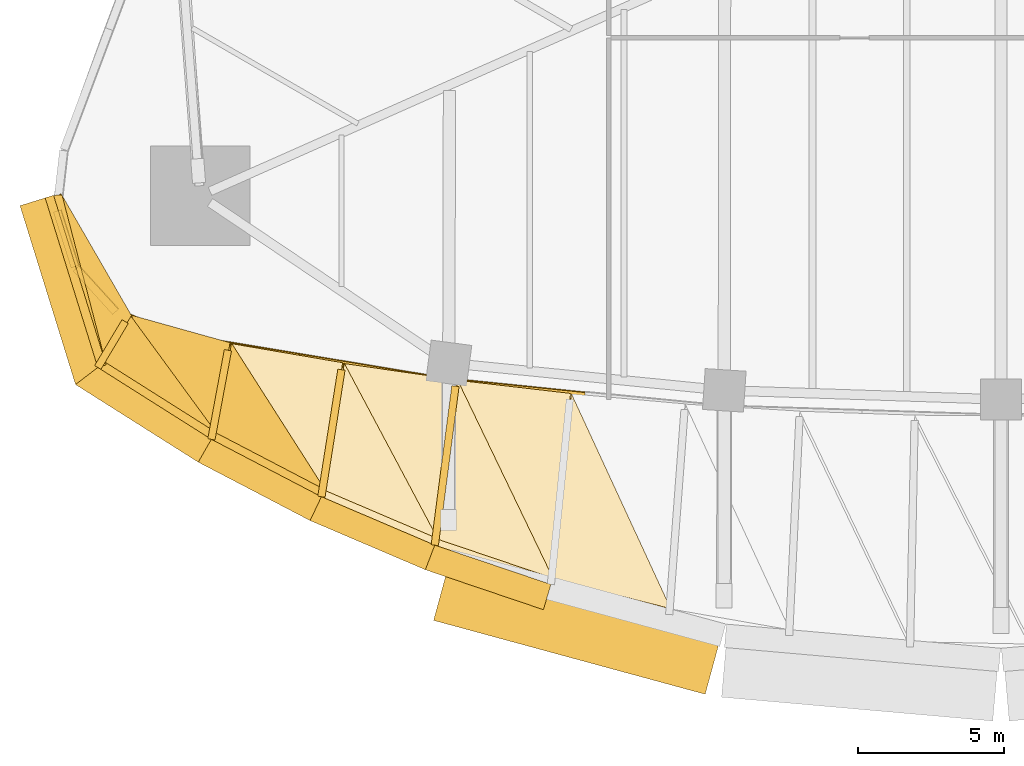
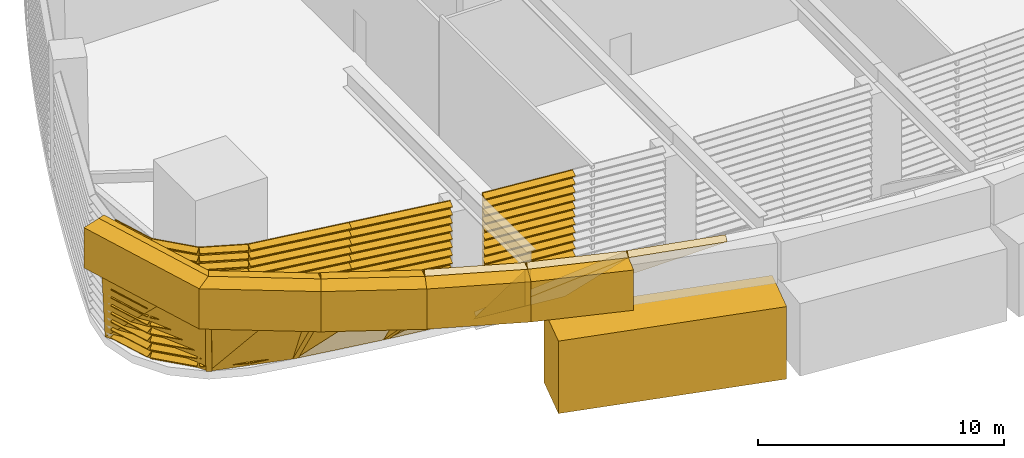
# One storey, part 8 of 15: 21 coverings, 6 shading devices.
"""IFC4 building model written with IfcOpenShell, lengths in metres."""

from ifc_helpers import new_model, si_unit, direction, frame, origin, place, context, subcontext, project, spatial, polyline, outline, extrude, material, layer, layer_set, type_object, element, save


model = new_model("IFC4")

# Units and contexts
model_context = context("Model", 3, precision=1e-05, world=origin(), true_north=direction((0.0, 1.0)))
body_context = subcontext(model_context, "Body", "Model", "MODEL_VIEW")
ifc_project = project(units=[si_unit("LENGTHUNIT", "METRE"), si_unit("AREAUNIT", "SQUARE_METRE"), si_unit("VOLUMEUNIT", "CUBIC_METRE"), si_unit("PLANEANGLEUNIT", "RADIAN"), si_unit("MASSUNIT", "GRAM", prefix="KILO")], contexts=[model_context])

# Site, building, storey
site_placement = place(None, origin())
site = spatial("IfcSite", under=ifc_project, at=site_placement, CompositionType="ELEMENT")
building_placement = place(site_placement, origin())
building = spatial("IfcBuilding", under=site, at=building_placement, Name="Sierra Prisma Convention Tower", CompositionType="ELEMENT")
storey_placement = place(building_placement, frame((0.0, 0.0, 34.199951171875)))
storey = spatial("IfcBuildingStorey", under=building, at=storey_placement, Name="L05", CompositionType="ELEMENT", Elevation=34.199951171875)

# Shading devices
ifc_material_1 = material(Name="Aluminium 6063-T6 bronze anodised", Category="aluminium")
shading_device_type = type_object("IfcShadingDeviceType", Name="Louvre bay bronze", PredefinedType="USERDEFINED", material=ifc_material_1)
shading_device_1_placement = place(storey_placement, frame((-28.285888671875, -20.451416015625, 0.0), z_axis=(-0.986574086601, 0.163314333868, 0.0), x_axis=(0.0, 0.0, 1.0)))
element("IfcShadingDevice", 1, at=shading_device_1_placement, inside=storey, type_object=shading_device_type, Name="Louvre L05 S1.1", ObjectType="LOUVRE", PredefinedType="USERDEFINED", context=body_context, shape_type="SweptSolid", body=[
    extrude(outline(polyline([(0.0, 0.0), (6.0, 0.0), (6.0, -0.02994183377834988), (5.97998046875, -0.02994183377834988), (5.860107421875, -0.2999399350752641), (5.830078125, -0.2999399350752641), (5.949951171875, -0.02994183377834988), (5.60009765625, -0.02994183377834988), (5.580078125, -0.02994183377834988), (5.4599609375, -0.2999399350752641), (5.429931640625, -0.2999399350752641), (5.550048828125, -0.02994183377834988), (5.199951171875, -0.02994183377834988), (5.179931640625, -0.02994183377834988), (5.06005859375, -0.2999399350752641), (5.030029296875, -0.2999399350752641), (5.150146484375, -0.02994183377834988), (4.800048828125, -0.02994183377834988), (4.780029296875, -0.02994183377834988), (4.66015625, -0.2999399350752641), (4.630126953125, -0.2999399350752641), (4.75, -0.02994183377834988), (4.400146484375, -0.02994183377834988), (4.380126953125, -0.02994183377834988), (4.260009765625, -0.2999399350752641), (4.22998046875, -0.2999399350752641), (4.35009765625, -0.02994183377834988), (4.0, -0.02994183377834988), (3.97998046875, -0.02994183377834988), (3.860107421875, -0.2999399350752641), (3.830078125, -0.2999399350752641), (3.949951171875, -0.02994183377834988), (3.60009765625, -0.02994183377834988), (3.580078125, -0.02994183377834988), (3.4599609375, -0.2999399350752641), (3.429931640625, -0.2999399350752641), (3.550048828125, -0.02994183377834988), (3.199951171875, -0.02994183377834988), (3.179931640625, -0.02994183377834988), (3.06005859375, -0.2999399350752641), (3.030029296875, -0.2999399350752641), (3.150146484375, -0.02994183377834988), (2.800048828125, -0.02994183377834988), (2.780029296875, -0.02994183377834988), (2.66015625, -0.2999399350752641), (2.630126953125, -0.2999399350752641), (2.75, -0.02994183377834988), (2.400146484375, -0.02994183377834988), (2.380126953125, -0.02994183377834988), (2.260009765625, -0.2999399350752641), (2.22998046875, -0.2999399350752641), (2.35009765625, -0.02994183377834988), (2.0, -0.02994183377834988), (1.97998046875, -0.02994183377834988), (1.860107421875, -0.2999399350752641), (1.830078125, -0.2999399350752641), (1.949951171875, -0.02994183377834988), (1.60009765625, -0.02994183377834988), (1.580078125, -0.02994183377834988), (1.4599609375, -0.2999399350752641), (1.429931640625, -0.2999399350752641), (1.550048828125, -0.02994183377834988), (1.199951171875, -0.02994183377834988), (1.179931640625, -0.02994183377834988), (1.06005859375, -0.2999399350752641), (1.030029296875, -0.2999399350752641), (1.150146484375, -0.02994183377834988), (0.800048828125, -0.02994183377834988), (0.780029296875, -0.02994183377834988), (0.66015625, -0.2999399350752641), (0.630126953125, -0.2999399350752641), (0.75, -0.02994183377834988), (0.400146484375, -0.02994183377834988), (0.380126953125, -0.02994183377834988), (0.260009765625, -0.2999399350752641), (0.22998046875, -0.2999399350752641), (0.35009765625, -0.02994183377834988), (0.0, -0.02994183377834988), (0.0, 0.0)])), origin(), (0.0, 0.0, -1.0), 4.394287109375),
])
shading_device_2_placement = place(storey_placement, frame((-23.950927734375, -21.17041015625, 0.0), z_axis=(-0.986574086601, 0.163314333868, 0.0), x_axis=(0.0, 0.0, 1.0)))
element("IfcShadingDevice", 2, at=shading_device_2_placement, inside=storey, type_object=shading_device_type, Name="Louvre L05 S1.2", ObjectType="LOUVRE", PredefinedType="USERDEFINED", context=body_context, shape_type="SweptSolid", body=[
    extrude(outline(polyline([(0.0, 0.0), (6.0, 0.0), (6.0, -0.02994183377834988), (5.97998046875, -0.02994183377834988), (5.860107421875, -0.2999399350752641), (5.830078125, -0.2999399350752641), (5.949951171875, -0.02994183377834988), (5.60009765625, -0.02994183377834988), (5.580078125, -0.02994183377834988), (5.4599609375, -0.2999399350752641), (5.429931640625, -0.2999399350752641), (5.550048828125, -0.02994183377834988), (5.199951171875, -0.02994183377834988), (5.179931640625, -0.02994183377834988), (5.06005859375, -0.2999399350752641), (5.030029296875, -0.2999399350752641), (5.150146484375, -0.02994183377834988), (4.800048828125, -0.02994183377834988), (4.780029296875, -0.02994183377834988), (4.66015625, -0.2999399350752641), (4.630126953125, -0.2999399350752641), (4.75, -0.02994183377834988), (4.400146484375, -0.02994183377834988), (4.380126953125, -0.02994183377834988), (4.260009765625, -0.2999399350752641), (4.22998046875, -0.2999399350752641), (4.35009765625, -0.02994183377834988), (4.0, -0.02994183377834988), (3.97998046875, -0.02994183377834988), (3.860107421875, -0.2999399350752641), (3.830078125, -0.2999399350752641), (3.949951171875, -0.02994183377834988), (3.60009765625, -0.02994183377834988), (3.580078125, -0.02994183377834988), (3.4599609375, -0.2999399350752641), (3.429931640625, -0.2999399350752641), (3.550048828125, -0.02994183377834988), (3.199951171875, -0.02994183377834988), (3.179931640625, -0.02994183377834988), (3.06005859375, -0.2999399350752641), (3.030029296875, -0.2999399350752641), (3.150146484375, -0.02994183377834988), (2.800048828125, -0.02994183377834988), (2.780029296875, -0.02994183377834988), (2.66015625, -0.2999399350752641), (2.630126953125, -0.2999399350752641), (2.75, -0.02994183377834988), (2.400146484375, -0.02994183377834988), (2.380126953125, -0.02994183377834988), (2.260009765625, -0.2999399350752641), (2.22998046875, -0.2999399350752641), (2.35009765625, -0.02994183377834988), (2.0, -0.02994183377834988), (1.97998046875, -0.02994183377834988), (1.860107421875, -0.2999399350752641), (1.830078125, -0.2999399350752641), (1.949951171875, -0.02994183377834988), (1.60009765625, -0.02994183377834988), (1.580078125, -0.02994183377834988), (1.4599609375, -0.2999399350752641), (1.429931640625, -0.2999399350752641), (1.550048828125, -0.02994183377834988), (1.199951171875, -0.02994183377834988), (1.179931640625, -0.02994183377834988), (1.06005859375, -0.2999399350752641), (1.030029296875, -0.2999399350752641), (1.150146484375, -0.02994183377834988), (0.800048828125, -0.02994183377834988), (0.780029296875, -0.02994183377834988), (0.66015625, -0.2999399350752641), (0.630126953125, -0.2999399350752641), (0.75, -0.02994183377834988), (0.400146484375, -0.02994183377834988), (0.380126953125, -0.02994183377834988), (0.260009765625, -0.2999399350752641), (0.22998046875, -0.2999399350752641), (0.35009765625, -0.02994183377834988), (0.0, -0.02994183377834988), (0.0, 0.0)])), origin(), (0.0, 0.0, -1.0), 4.394287109375),
])
shading_device_3_placement = place(storey_placement, frame((-18.228759765625, -22.07275390625, 0.0), z_axis=(-0.99477012407, 0.10213912207, 0.0), x_axis=(0.0, 0.0, 1.0)))
element("IfcShadingDevice", 3, at=shading_device_3_placement, inside=storey, type_object=shading_device_type, Name="Louvre L05 S2.1", ObjectType="LOUVRE", PredefinedType="USERDEFINED", context=body_context, shape_type="SweptSolid", body=[
    extrude(outline(polyline([(0.0, 0.0), (6.0, 0.0), (6.0, -0.030196419396375143), (5.97998046875, -0.030196419396375143), (5.860107421875, -0.30003972058310624), (5.830078125, -0.30003972058310624), (5.949951171875, -0.030196419396375143), (5.60009765625, -0.030196419396375143), (5.580078125, -0.030196419396375143), (5.4599609375, -0.30003972058310624), (5.429931640625, -0.30003972058310624), (5.550048828125, -0.030196419396375143), (5.199951171875, -0.030196419396375143), (5.179931640625, -0.030196419396375143), (5.06005859375, -0.30003972058310624), (5.030029296875, -0.30003972058310624), (5.150146484375, -0.030196419396375143), (4.800048828125, -0.030196419396375143), (4.780029296875, -0.030196419396375143), (4.66015625, -0.30003972058310624), (4.630126953125, -0.30003972058310624), (4.75, -0.030196419396375143), (4.400146484375, -0.030196419396375143), (4.380126953125, -0.030196419396375143), (4.260009765625, -0.30003972058310624), (4.22998046875, -0.30003972058310624), (4.35009765625, -0.030196419396375143), (4.0, -0.030196419396375143), (3.97998046875, -0.030196419396375143), (3.860107421875, -0.30003972058310624), (3.830078125, -0.30003972058310624), (3.949951171875, -0.030196419396375143), (3.60009765625, -0.030196419396375143), (3.580078125, -0.030196419396375143), (3.4599609375, -0.30003972058310624), (3.429931640625, -0.30003972058310624), (3.550048828125, -0.030196419396375143), (3.199951171875, -0.030196419396375143), (3.179931640625, -0.030196419396375143), (3.06005859375, -0.30003972058310624), (3.030029296875, -0.30003972058310624), (3.150146484375, -0.030196419396375143), (2.800048828125, -0.030196419396375143), (2.780029296875, -0.030196419396375143), (2.66015625, -0.30003972058310624), (2.630126953125, -0.30003972058310624), (2.75, -0.030196419396375143), (2.400146484375, -0.030196419396375143), (2.380126953125, -0.030196419396375143), (2.260009765625, -0.30003972058310624), (2.22998046875, -0.30003972058310624), (2.35009765625, -0.030196419396375143), (2.0, -0.030196419396375143), (1.97998046875, -0.030196419396375143), (1.860107421875, -0.30003972058310624), (1.830078125, -0.30003972058310624), (1.949951171875, -0.030196419396375143), (1.60009765625, -0.030196419396375143), (1.580078125, -0.030196419396375143), (1.4599609375, -0.30003972058310624), (1.429931640625, -0.30003972058310624), (1.550048828125, -0.030196419396375143), (1.199951171875, -0.030196419396375143), (1.179931640625, -0.030196419396375143), (1.06005859375, -0.30003972058310624), (1.030029296875, -0.30003972058310624), (1.150146484375, -0.030196419396375143), (0.800048828125, -0.030196419396375143), (0.780029296875, -0.030196419396375143), (0.66015625, -0.30003972058310624), (0.630126953125, -0.30003972058310624), (0.75, -0.030196419396375143), (0.400146484375, -0.030196419396375143), (0.380126953125, -0.030196419396375143), (0.260009765625, -0.30003972058310624), (0.22998046875, -0.30003972058310624), (0.35009765625, -0.030196419396375143), (0.0, -0.030196419396375143), (0.0, 0.0)])), origin(), (0.0, 0.0, -1.0), 4.044189453125),
])
shading_device_4_placement = place(storey_placement, frame((-32.08203125, -16.26123046875, 0.0), z_axis=(-0.303509875432, 0.952828292776, 0.0), x_axis=(0.0, 0.0, 1.0)))
element("IfcShadingDevice", 4, at=shading_device_4_placement, inside=storey, type_object=shading_device_type, Name="Louvre L05 SW2.1", ObjectType="LOUVRE", PredefinedType="USERDEFINED", context=body_context, shape_type="SweptSolid", body=[
    extrude(outline(polyline([(0.0, 0.0), (6.0, 0.0), (6.0, -0.02995868546040688), (5.97998046875, -0.02995868546040688), (5.860107421875, -0.3000314491481591), (5.830078125, -0.3000314491481591), (5.949951171875, -0.02995868546040688), (5.60009765625, -0.02995868546040688), (5.580078125, -0.02995868546040688), (5.4599609375, -0.3000314491481591), (5.429931640625, -0.3000314491481591), (5.550048828125, -0.02995868546040688), (5.199951171875, -0.02995868546040688), (5.179931640625, -0.02995868546040688), (5.06005859375, -0.3000314491481591), (5.030029296875, -0.3000314491481591), (5.150146484375, -0.02995868546040688), (4.800048828125, -0.02995868546040688), (4.780029296875, -0.02995868546040688), (4.66015625, -0.3000314491481591), (4.630126953125, -0.3000314491481591), (4.75, -0.02995868546040688), (4.400146484375, -0.02995868546040688), (4.380126953125, -0.02995868546040688), (4.260009765625, -0.3000314491481591), (4.22998046875, -0.3000314491481591), (4.35009765625, -0.02995868546040688), (4.0, -0.02995868546040688), (3.97998046875, -0.02995868546040688), (3.860107421875, -0.3000314491481591), (3.830078125, -0.3000314491481591), (3.949951171875, -0.02995868546040688), (3.60009765625, -0.02995868546040688), (3.580078125, -0.02995868546040688), (3.4599609375, -0.3000314491481591), (3.429931640625, -0.3000314491481591), (3.550048828125, -0.02995868546040688), (3.199951171875, -0.02995868546040688), (3.179931640625, -0.02995868546040688), (3.06005859375, -0.3000314491481591), (3.030029296875, -0.3000314491481591), (3.150146484375, -0.02995868546040688), (2.800048828125, -0.02995868546040688), (2.780029296875, -0.02995868546040688), (2.66015625, -0.3000314491481591), (2.630126953125, -0.3000314491481591), (2.75, -0.02995868546040688), (2.400146484375, -0.02995868546040688), (2.380126953125, -0.02995868546040688), (2.260009765625, -0.3000314491481591), (2.22998046875, -0.3000314491481591), (2.35009765625, -0.02995868546040688), (2.0, -0.02995868546040688), (1.97998046875, -0.02995868546040688), (1.860107421875, -0.3000314491481591), (1.830078125, -0.3000314491481591), (1.949951171875, -0.02995868546040688), (1.60009765625, -0.02995868546040688), (1.580078125, -0.02995868546040688), (1.4599609375, -0.3000314491481591), (1.429931640625, -0.3000314491481591), (1.550048828125, -0.02995868546040688), (1.199951171875, -0.02995868546040688), (1.179931640625, -0.02995868546040688), (1.06005859375, -0.3000314491481591), (1.030029296875, -0.3000314491481591), (1.150146484375, -0.02995868546040688), (0.800048828125, -0.02995868546040688), (0.780029296875, -0.02995868546040688), (0.66015625, -0.3000314491481591), (0.630126953125, -0.3000314491481591), (0.75, -0.02995868546040688), (0.400146484375, -0.02995868546040688), (0.380126953125, -0.02995868546040688), (0.260009765625, -0.3000314491481591), (0.22998046875, -0.3000314491481591), (0.35009765625, -0.02995868546040688), (0.0, -0.02995868546040688), (0.0, 0.0)])), origin(), (0.0, 0.0, -1.0), 2.00341796875),
])
shading_device_5_placement = place(storey_placement, frame((-31.46875, -18.16845703125, 0.0), z_axis=(-0.672708903029, 0.739907245393, 0.0), x_axis=(0.0, 0.0, 1.0)))
element("IfcShadingDevice", 5, at=shading_device_5_placement, inside=storey, type_object=shading_device_type, Name="Louvre L05 SW3.1", ObjectType="LOUVRE", PredefinedType="USERDEFINED", context=body_context, shape_type="SweptSolid", body=[
    extrude(outline(polyline([(0.0, 0.0), (6.0, 0.0), (6.0, -0.03006992145561485), (5.97998046875, -0.03006992145561485), (5.860107421875, -0.3000586781133381), (5.830078125, -0.3000586781133381), (5.949951171875, -0.03006992145561485), (5.60009765625, -0.03006992145561485), (5.580078125, -0.03006992145561485), (5.4599609375, -0.3000586781133381), (5.429931640625, -0.3000586781133381), (5.550048828125, -0.03006992145561485), (5.199951171875, -0.03006992145561485), (5.179931640625, -0.03006992145561485), (5.06005859375, -0.3000586781133381), (5.030029296875, -0.3000586781133381), (5.150146484375, -0.03006992145561485), (4.800048828125, -0.03006992145561485), (4.780029296875, -0.03006992145561485), (4.66015625, -0.3000586781133381), (4.630126953125, -0.3000586781133381), (4.75, -0.03006992145561485), (4.400146484375, -0.03006992145561485), (4.380126953125, -0.03006992145561485), (4.260009765625, -0.3000586781133381), (4.22998046875, -0.3000586781133381), (4.35009765625, -0.03006992145561485), (4.0, -0.03006992145561485), (3.97998046875, -0.03006992145561485), (3.860107421875, -0.3000586781133381), (3.830078125, -0.3000586781133381), (3.949951171875, -0.03006992145561485), (3.60009765625, -0.03006992145561485), (3.580078125, -0.03006992145561485), (3.4599609375, -0.3000586781133381), (3.429931640625, -0.3000586781133381), (3.550048828125, -0.03006992145561485), (3.199951171875, -0.03006992145561485), (3.179931640625, -0.03006992145561485), (3.06005859375, -0.3000586781133381), (3.030029296875, -0.3000586781133381), (3.150146484375, -0.03006992145561485), (2.800048828125, -0.03006992145561485), (2.780029296875, -0.03006992145561485), (2.66015625, -0.3000586781133381), (2.630126953125, -0.3000586781133381), (2.75, -0.03006992145561485), (2.400146484375, -0.03006992145561485), (2.380126953125, -0.03006992145561485), (2.260009765625, -0.3000586781133381), (2.22998046875, -0.3000586781133381), (2.35009765625, -0.03006992145561485), (2.0, -0.03006992145561485), (1.97998046875, -0.03006992145561485), (1.860107421875, -0.3000586781133381), (1.830078125, -0.3000586781133381), (1.949951171875, -0.03006992145561485), (1.60009765625, -0.03006992145561485), (1.580078125, -0.03006992145561485), (1.4599609375, -0.3000586781133381), (1.429931640625, -0.3000586781133381), (1.550048828125, -0.03006992145561485), (1.199951171875, -0.03006992145561485), (1.179931640625, -0.03006992145561485), (1.06005859375, -0.3000586781133381), (1.030029296875, -0.3000586781133381), (1.150146484375, -0.03006992145561485), (0.800048828125, -0.03006992145561485), (0.780029296875, -0.03006992145561485), (0.66015625, -0.3000586781133381), (0.630126953125, -0.3000586781133381), (0.75, -0.03006992145561485), (0.400146484375, -0.03006992145561485), (0.380126953125, -0.03006992145561485), (0.260009765625, -0.3000586781133381), (0.22998046875, -0.3000586781133381), (0.35009765625, -0.03006992145561485), (0.0, -0.03006992145561485), (0.0, 0.0)])), origin(), (0.0, 0.0, -1.0), 2.00341796875),
])
shading_device_6_placement = place(storey_placement, frame((-30.12353515625, -19.6533203125, 0.0), z_axis=(-0.917283969217, 0.398233750223, 0.0), x_axis=(0.0, 0.0, 1.0)))
element("IfcShadingDevice", 6, at=shading_device_6_placement, inside=storey, type_object=shading_device_type, Name="Louvre L05 SW4.1", ObjectType="LOUVRE", PredefinedType="USERDEFINED", context=body_context, shape_type="SweptSolid", body=[
    extrude(outline(polyline([(0.0, 0.0), (6.0, 0.0), (6.0, -0.03006995661193828), (5.97998046875, -0.03006995661193828), (5.860107421875, -0.30002772727474114), (5.830078125, -0.30002772727474114), (5.949951171875, -0.03006995661193828), (5.60009765625, -0.03006995661193828), (5.580078125, -0.03006995661193828), (5.4599609375, -0.30002772727474114), (5.429931640625, -0.30002772727474114), (5.550048828125, -0.03006995661193828), (5.199951171875, -0.03006995661193828), (5.179931640625, -0.03006995661193828), (5.06005859375, -0.30002772727474114), (5.030029296875, -0.30002772727474114), (5.150146484375, -0.03006995661193828), (4.800048828125, -0.03006995661193828), (4.780029296875, -0.03006995661193828), (4.66015625, -0.30002772727474114), (4.630126953125, -0.30002772727474114), (4.75, -0.03006995661193828), (4.400146484375, -0.03006995661193828), (4.380126953125, -0.03006995661193828), (4.260009765625, -0.30002772727474114), (4.22998046875, -0.30002772727474114), (4.35009765625, -0.03006995661193828), (4.0, -0.03006995661193828), (3.97998046875, -0.03006995661193828), (3.860107421875, -0.30002772727474114), (3.830078125, -0.30002772727474114), (3.949951171875, -0.03006995661193828), (3.60009765625, -0.03006995661193828), (3.580078125, -0.03006995661193828), (3.4599609375, -0.30002772727474114), (3.429931640625, -0.30002772727474114), (3.550048828125, -0.03006995661193828), (3.199951171875, -0.03006995661193828), (3.179931640625, -0.03006995661193828), (3.06005859375, -0.30002772727474114), (3.030029296875, -0.30002772727474114), (3.150146484375, -0.03006995661193828), (2.800048828125, -0.03006995661193828), (2.780029296875, -0.03006995661193828), (2.66015625, -0.30002772727474114), (2.630126953125, -0.30002772727474114), (2.75, -0.03006995661193828), (2.400146484375, -0.03006995661193828), (2.380126953125, -0.03006995661193828), (2.260009765625, -0.30002772727474114), (2.22998046875, -0.30002772727474114), (2.35009765625, -0.03006995661193828), (2.0, -0.03006995661193828), (1.97998046875, -0.03006995661193828), (1.860107421875, -0.30002772727474114), (1.830078125, -0.30002772727474114), (1.949951171875, -0.03006995661193828), (1.60009765625, -0.03006995661193828), (1.580078125, -0.03006995661193828), (1.4599609375, -0.30002772727474114), (1.429931640625, -0.30002772727474114), (1.550048828125, -0.03006995661193828), (1.199951171875, -0.03006995661193828), (1.179931640625, -0.03006995661193828), (1.06005859375, -0.30002772727474114), (1.030029296875, -0.30002772727474114), (1.150146484375, -0.03006995661193828), (0.800048828125, -0.03006995661193828), (0.780029296875, -0.03006995661193828), (0.66015625, -0.30002772727474114), (0.630126953125, -0.30002772727474114), (0.75, -0.03006995661193828), (0.400146484375, -0.03006995661193828), (0.380126953125, -0.03006995661193828), (0.260009765625, -0.30002772727474114), (0.22998046875, -0.30002772727474114), (0.35009765625, -0.03006995661193828), (0.0, -0.03006995661193828), (0.0, 0.0)])), origin(), (0.0, 0.0, -1.0), 2.00341796875),
])

# Coverings
ifc_material_2 = material(Name="Aluminium composite bronze anodised", Category="aluminium")
ifc_layer_1 = layer(ifc_material_2, 0.25)
ifc_layer_set_1 = layer_set([ifc_layer_1], Name="Overhang bracket")
covering_type_1 = type_object("IfcCoveringType", Name="Overhang bracket", PredefinedType="CLADDING", material=ifc_layer_set_1)
covering_1_placement = place(storey_placement, frame((-30.021240234375, -20.025146484375, 0.0), z_axis=(-0.859105297187, 0.511798874896, 0.0), x_axis=(-0.148977795394, -0.250074041707, 0.956696707501)))
element("IfcCovering", 7, at=covering_1_placement, inside=storey, type_object=covering_type_1, Name="Overhang bracket 2", PredefinedType="CLADDING", context=body_context, shape_type="SweptSolid", body=[
    extrude(outline(polyline([(0.0, 0.0), (6.271580066028097, 0.0), (4.549479278819297, -0.5239700967889471), (0.0, 0.0)])), origin(), (0.0, 0.0, -1.0), 0.25),
])
covering_2_placement = place(storey_placement, frame((-26.526611328125, -21.0458984375, 0.0), z_axis=(-0.983196625639, 0.182549706469, 0.0), x_axis=(-0.083681403963, -0.450700664471, 0.888744245369)))
element("IfcCovering", 8, at=covering_2_placement, inside=storey, type_object=covering_type_1, Name="Overhang bracket 3", PredefinedType="CLADDING", context=body_context, shape_type="SweptSolid", body=[
    extrude(outline(polyline([(0.0, 0.0), (6.751098565492284, 4.440892098500626e-16), (5.151315528113026, -0.8251484817581498), (0.0, 0.0)])), origin(), (0.0, 0.0, -1.0), 0.25),
])
covering_3_placement = place(storey_placement, frame((-22.650146484375, -21.715087890625, 0.0), z_axis=(-0.987785491658, 0.155819839784, 0.0), x_axis=(-0.092034112139, -0.583429945983, 0.806931979992)))
element("IfcCovering", 9, at=covering_3_placement, inside=storey, type_object=covering_type_1, Name="Overhang bracket 4", PredefinedType="CLADDING", context=body_context, shape_type="SweptSolid", body=[
    extrude(outline(polyline([(0.0, 0.0), (7.435570963566776, 0.0), (5.983053998606065, -1.0631887180249384), (0.0, 0.0)])), origin(), (0.0, 0.0, -1.0), 0.25),
])
covering_4_placement = place(storey_placement, frame((-18.757080078125, -22.2783203125, 0.0), z_axis=(-0.99166046076, 0.128877967726, 0.0), x_axis=(-0.086883924639, -0.668534383808, 0.738588492536)))
element("IfcCovering", 10, at=covering_4_placement, inside=storey, type_object=covering_type_1, Name="Overhang bracket 5", PredefinedType="CLADDING", context=body_context, shape_type="SweptSolid", body=[
    extrude(outline(polyline([(0.0, 0.0), (8.12360341467076, 8.881784197001252e-16), (6.794108064215161, -1.2135146874888365), (0.0, 0.0)])), origin(), (0.0, 0.0, -1.0), 0.25),
])
ifc_material_3 = material(Name="Aluminium composite bronze anodised", Category="aluminium")
ifc_layer_2 = layer(ifc_material_3, 0.89990234375)
ifc_layer_set_2 = layer_set([ifc_layer_2], Name="Overhang fascia")
covering_type_2 = type_object("IfcCoveringType", Name="Overhang fascia", PredefinedType="CLADDING", material=ifc_layer_set_2)
covering_5_placement = place(storey_placement, frame((0.0, 0.0, 4.0)))
element("IfcCovering", 11, at=covering_5_placement, inside=storey, type_object=covering_type_2, Name="Overhang fascia 1", PredefinedType="CLADDING", context=body_context, shape_type="SweptSolid", body=[
    extrude(outline(polyline([(-32.6455078125, -15.865478515625), (-30.84814453125, -21.657470703125), (-31.609375, -22.240966796875), (-33.505126953125, -16.13232421875), (-32.6455078125, -15.865478515625)])), origin(), (0.0, 0.0, 1.0), 2.0),
])
covering_6_placement = place(storey_placement, frame((0.0, 0.0, 4.0)))
element("IfcCovering", 12, at=covering_6_placement, inside=storey, type_object=covering_type_2, Name="Overhang fascia 2", PredefinedType="CLADDING", context=body_context, shape_type="SweptSolid", body=[
    extrude(outline(polyline([(-30.84814453125, -21.657470703125), (-26.96875, -24.111328125), (-27.418212890625, -24.89208984375), (-31.609375, -22.240966796875), (-30.84814453125, -21.657470703125)])), origin(), (0.0, 0.0, 1.0), 2.0),
])
covering_7_placement = place(storey_placement, frame((0.0, 0.0, 4.0)))
element("IfcCovering", 13, at=covering_7_placement, inside=storey, type_object=covering_type_2, Name="Overhang fascia 3", PredefinedType="CLADDING", context=body_context, shape_type="SweptSolid", body=[
    extrude(outline(polyline([(-26.96875, -24.111328125), (-23.2109375, -26.07275390625), (-23.596435546875, -26.88671875), (-27.418212890625, -24.89208984375), (-26.96875, -24.111328125)])), origin(), (0.0, 0.0, 1.0), 2.0),
])
covering_8_placement = place(storey_placement, frame((0.0, 0.0, 4.0)))
element("IfcCovering", 14, at=covering_8_placement, inside=storey, type_object=covering_type_2, Name="Overhang fascia 4", PredefinedType="CLADDING", context=body_context, shape_type="SweptSolid", body=[
    extrude(outline(polyline([(-23.2109375, -26.07275390625), (-19.3388671875, -27.725341796875), (-19.660400390625, -28.566650390625), (-23.596435546875, -26.88671875), (-23.2109375, -26.07275390625)])), origin(), (0.0, 0.0, 1.0), 2.0),
])
covering_9_placement = place(storey_placement, frame((0.0, 0.0, 4.0)))
element("IfcCovering", 15, at=covering_9_placement, inside=storey, type_object=covering_type_2, Name="Overhang fascia 5", PredefinedType="CLADDING", context=body_context, shape_type="SweptSolid", body=[
    extrude(outline(polyline([(-19.3388671875, -27.725341796875), (-15.372802734375, -29.067138671875), (-15.62841796875, -29.9306640625), (-19.660400390625, -28.566650390625), (-19.3388671875, -27.725341796875)])), origin(), (0.0, 0.0, 1.0), 2.0),
])
ifc_material_4 = material(Name="Aluminium composite bronze anodised", Category="aluminium")
ifc_layer_3 = layer(ifc_material_4, 1.10009765625)
ifc_layer_set_3 = layer_set([ifc_layer_3], Name="Overhang fascia wedge")
covering_type_3 = type_object("IfcCoveringType", Name="Overhang fascia wedge", PredefinedType="CLADDING", material=ifc_layer_set_3)
covering_10_placement = place(storey_placement, frame((0.0, 0.0, 0.400146484375)))
element("IfcCovering", 16, at=covering_10_placement, inside=storey, type_object=covering_type_3, Name="Overhang fascia wedge", PredefinedType="CLADDING", context=body_context, shape_type="SweptSolid", body=[
    extrude(outline(polyline([(-18.774658203125, -28.0771484375), (-9.49951171875, -30.599609375), (-10.103271484375, -32.819091796875), (-19.37841796875, -30.29638671875), (-18.774658203125, -28.0771484375)])), origin(), (0.0, 0.0, 1.0), 3.599853515625),
])
ifc_material_5 = material(Name="Aluminium composite bronze anodised", Category="aluminium")
ifc_layer_4 = layer(ifc_material_5, 0.300048828125)
ifc_layer_set_4 = layer_set([ifc_layer_4], Name="Soffit panel bronze")
covering_type_4 = type_object("IfcCoveringType", Name="Soffit panel bronze", PredefinedType="CLADDING", material=ifc_layer_set_4)
covering_11_placement = place(storey_placement, frame((-32.354736328125, -15.861572265625, 0.0), z_axis=(-0.837001791041, -0.483272343892, -0.256662898416), x_axis=(0.500022608075, -0.866012350613, 0.0)))
element("IfcCovering", 17, at=covering_11_placement, inside=storey, type_object=covering_type_4, Name="Soffit panel 1", PredefinedType="CLADDING", context=body_context, shape_type="SweptSolid", body=[
    extrude(outline(polyline([(0.0, 0.0), (4.881615209654486, 0.0), (5.77264958935017, 6.207960555512681), (0.0, 0.0)])), origin(), (0.0, 0.0, -1.0), 0.300048828125),
])
covering_12_placement = place(storey_placement, frame((-32.354736328125, -15.861572265625, 0.0), z_axis=(-0.954041324444, -0.296056829816, -0.046427414009), x_axis=(0.177723628016, -0.683707491345, 0.707784132574)))
element("IfcCovering", 18, at=covering_12_placement, inside=storey, type_object=covering_type_4, Name="Soffit panel 2", PredefinedType="CLADDING", context=body_context, shape_type="SweptSolid", body=[
    extrude(outline(polyline([(0.0, 0.0), (8.477160936317418, -8.881784197001252e-16), (4.197698564704296, 4.2969628896226455), (0.0, 0.0)])), origin(), (0.0, 0.0, -1.0), 0.300048828125),
])
covering_13_placement = place(storey_placement, frame((-29.913818359375, -20.089111328125, 0.0), z_axis=(-0.239122616521, -0.856741834123, -0.456961490645), x_axis=(0.963187023624, -0.268832210725, 0.0)))
element("IfcCovering", 19, at=covering_13_placement, inside=storey, type_object=covering_type_4, Name="Soffit panel 3", PredefinedType="CLADDING", context=body_context, shape_type="SweptSolid", body=[
    extrude(outline(polyline([(0.0, 0.0), (3.6444156951411624, 5.551115123125783e-17), (3.9179530609527013, 6.745465099948742), (0.0, 0.0)])), origin(), (0.0, 0.0, -1.0), 0.300048828125),
])
covering_14_placement = place(storey_placement, frame((-29.913818359375, -20.089111328125, 0.0), z_axis=(-0.511437948402, -0.808551288439, -0.290991475646), x_axis=(0.377536704465, -0.515619431821, 0.769157095989)))
element("IfcCovering", 20, at=covering_14_placement, inside=storey, type_object=covering_type_4, Name="Soffit panel 4", PredefinedType="CLADDING", context=body_context, shape_type="SweptSolid", body=[
    extrude(outline(polyline([(0.0, 0.0), (7.800747118222404, 0.0), (5.070876721940234, 3.6903828792532707), (0.0, 0.0)])), origin(), (0.0, 0.0, -1.0), 0.300048828125),
])
covering_15_placement = place(storey_placement, frame((-26.403564453125, -21.06884765625, 0.0), z_axis=(-0.136533577902, -0.795310595566, -0.590626479838), x_axis=(0.985582062249, -0.169198104521, 0.0)))
element("IfcCovering", 21, at=covering_15_placement, inside=storey, type_object=covering_type_4, Name="Soffit panel 5", PredefinedType="CLADDING", context=body_context, shape_type="SweptSolid", body=[
    extrude(outline(polyline([(0.0, 0.0), (3.9334208006279696, 0.0), (3.993247309152979, 7.435450258629385), (0.0, 0.0)])), origin(), (0.0, 0.0, -1.0), 0.300048828125),
])
covering_16_placement = place(storey_placement, frame((-26.403564453125, -21.06884765625, 0.0), z_axis=(-0.415005385085, -0.795091223205, -0.442267427167), x_axis=(0.378277731054, -0.592886776453, 0.710908734295)))
element("IfcCovering", 22, at=covering_16_placement, inside=storey, type_object=covering_type_4, Name="Soffit panel 6", PredefinedType="CLADDING", context=body_context, shape_type="SweptSolid", body=[
    extrude(outline(polyline([(0.0, 0.0), (8.439901931930802, 0.0), (5.85550173700957, 3.3599436770576263), (0.0, 0.0)])), origin(), (0.0, 0.0, -1.0), 0.300048828125),
])
covering_17_placement = place(storey_placement, frame((-22.52685546875, -21.734375, 0.0), z_axis=(-0.105162820763, -0.731097064309, -0.674120066226), x_axis=(0.989812489264, -0.142377091195, 0.0)))
element("IfcCovering", 23, at=covering_17_placement, inside=storey, type_object=covering_type_4, Name="Soffit panel 7", PredefinedType="CLADDING", context=body_context, shape_type="SweptSolid", body=[
    extrude(outline(polyline([(0.0, 0.0), (3.933628570796492, 0.0), (4.008487042390999, 8.123237290245157), (0.0, 0.0)])), origin(), (0.0, 0.0, -1.0), 0.300048828125),
])
covering_18_placement = place(storey_placement, frame((-22.52685546875, -21.734375, 0.0), z_axis=(-0.320103531145, -0.750013591957, -0.578803370091), x_axis=(0.351936505327, -0.661370034019, 0.662367250338)))
element("IfcCovering", 24, at=covering_18_placement, inside=storey, type_object=covering_type_4, Name="Soffit panel 8", PredefinedType="CLADDING", context=body_context, shape_type="SweptSolid", body=[
    extrude(outline(polyline([(0.0, 0.0), (9.058418871008673, 0.0), (6.602723867405787, 3.4195814496022843), (0.0, 0.0)])), origin(), (0.0, 0.0, -1.0), 0.300048828125),
])
covering_19_placement = place(storey_placement, frame((-18.63330078125, -22.29443359375, 0.0), z_axis=(-0.079230411374, -0.682131648216, -0.726924312714), x_axis=(0.993321944338, -0.115375538552, 0.0)))
element("IfcCovering", 25, at=covering_19_placement, inside=storey, type_object=covering_type_4, Name="Soffit panel 9", PredefinedType="CLADDING", context=body_context, shape_type="SweptSolid", body=[
    extrude(outline(polyline([(0.0, 0.0), (3.933740440747356, 5.551115123125783e-17), (4.020128755275325, 8.737216168777348), (0.0, 0.0)])), origin(), (0.0, 0.0, -1.0), 0.300048828125),
])
covering_20_placement = place(storey_placement, frame((-18.63330078125, -22.29443359375, 0.0), z_axis=(-0.238788804909, -0.705808612765, -0.666943857305), x_axis=(0.339009744874, -0.704190889746, 0.623849007116)))
element("IfcCovering", 26, at=covering_20_placement, inside=storey, type_object=covering_type_4, Name="Soffit panel 10", PredefinedType="CLADDING", context=body_context, shape_type="SweptSolid", body=[
    extrude(outline(polyline([(0.0, 0.0), (9.617711868679361, 4.440892098500626e-16), (7.328296235006123, 3.505518814154909), (0.0, 0.0)])), origin(), (0.0, 0.0, -1.0), 0.300048828125),
])
covering_21_placement = place(storey_placement, frame((-14.725830078125, -22.748291015625, 0.0), z_axis=(-0.170411398704, -0.669271155329, -0.723212331087), x_axis=(0.336831504564, -0.729300788588, 0.595537486056)))
element("IfcCovering", 27, at=covering_21_placement, inside=storey, type_object=covering_type_4, Name="Soffit panel 12", PredefinedType="CLADDING", context=body_context, shape_type="SweptSolid", body=[
    extrude(outline(polyline([(0.0, 0.0), (10.074932544946257, 4.440892098500626e-16), (7.9636447217890165, 3.5953820472869413), (0.0, 0.0)])), origin(), (0.0, 0.0, -1.0), 0.300048828125),
])

save(model, "model.ifc")
